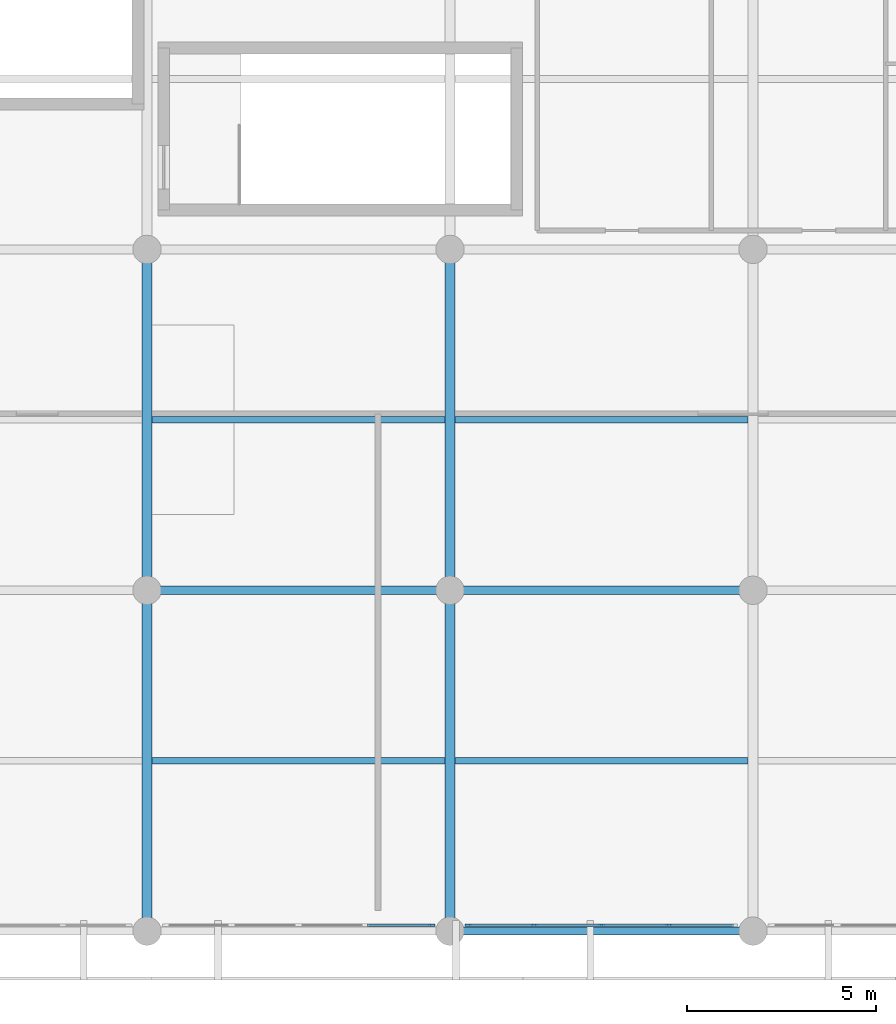
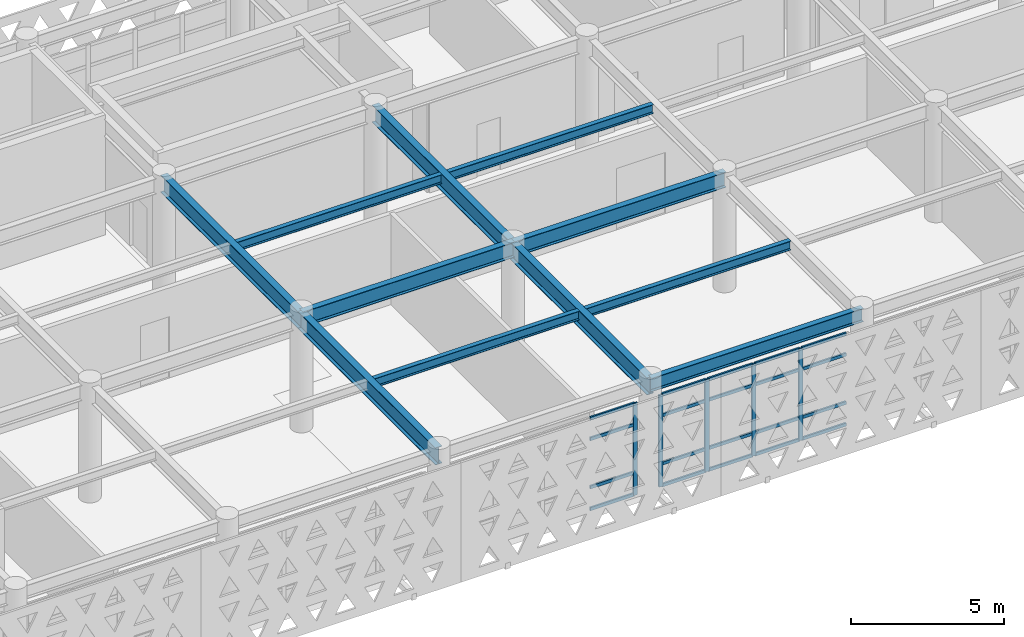
# One storey, part 8 of 26: 25 members, 11 beams, 2 elements without a shape of their own.
"""IFC4 building model written with IfcOpenShell, lengths in metres."""

from ifc_helpers import new_model, si_unit, direction, frame, origin, origin_2d, place, context, subcontext, project, spatial, rectangle, i_section, extrude, material, layer, layer_set, material_profile, profile_set, type_object, element, aggregate, save


model = new_model("IFC4")

# Units and contexts
model_context = context("Model", 3, precision=1e-05, world=origin(), true_north=direction((0.0, 1.0)))
body_context = subcontext(model_context, "Body", "Model", "MODEL_VIEW")
ifc_project = project(units=[si_unit("LENGTHUNIT", "METRE"), si_unit("AREAUNIT", "SQUARE_METRE"), si_unit("VOLUMEUNIT", "CUBIC_METRE"), si_unit("PLANEANGLEUNIT", "RADIAN"), si_unit("MASSUNIT", "GRAM", prefix="KILO")], contexts=[model_context])

# Site, building, storey
site_placement = place(None, origin())
site = spatial("IfcSite", under=ifc_project, at=site_placement, CompositionType="ELEMENT")
building_placement = place(site_placement, origin())
building = spatial("IfcBuilding", under=site, at=building_placement, Name="Tlacozan Convention Centre", CompositionType="ELEMENT")
storey_placement = place(building_placement, frame((0.0, 0.0, 21.0)))
storey = spatial("IfcBuildingStorey", under=building, at=storey_placement, Name="L04", CompositionType="ELEMENT", Elevation=21.0)

# Curtain wall, member
ifc_material_1 = material(Name="Dark Bronze Anodised Aluminium", Category="aluminium")
ifc_layer = layer(ifc_material_1, 0.159912109375)
ifc_layer_set = layer_set([ifc_layer], Name="Dark Bronze Anodised Aluminium")
curtain_wall_type = type_object("IfcCurtainWallType", Name="Unitised Congress L04 South CW05", PredefinedType="NOTDEFINED", material=ifc_layer_set)
curtain_wall_1_placement = place(storey_placement, origin())
curtain_wall_1 = element("IfcCurtainWall", 1, at=curtain_wall_1_placement, inside=storey, type_object=curtain_wall_type, Name="L04 CW-05 Run 128", PredefinedType="NOTDEFINED")
ifc_material_profile_1 = material_profile(ifc_material_1, rectangle(XDim=0.06494140625, YDim=0.159912109375, at=origin_2d()), Name="ALU 65x160")
ifc_profile_set_1 = profile_set([ifc_material_profile_1], Name="Dark Bronze Anodised Aluminium")
member_type_1 = type_object("IfcMemberType", Name="Curtain Wall Mullion 65x160", PredefinedType="MULLION", material=ifc_profile_set_1)
member_1_placement = place(storey_placement, frame((55.517578125, 0.159912109375, 0.0), z_axis=(0.0, 0.0, 1.0), x_axis=(0.0, 1.0, 0.0)))
member_1 = element("IfcMember", 2, at=member_1_placement, type_object=member_type_1, Name="CW-05 mullion 5", PredefinedType="MULLION", context=body_context, shape_type="SweptSolid", body=[
    extrude(rectangle(XDim=0.06494140625, YDim=0.159912109375, at=origin_2d()), origin(), (0.0, 0.0, 1.0), 3.679931640625),
])

# Curtain wall, members
curtain_wall_2_placement = place(storey_placement, origin())
curtain_wall_2 = element("IfcCurtainWall", 3, at=curtain_wall_2_placement, inside=storey, type_object=curtain_wall_type, Name="L04 CW-05 Run 129", PredefinedType="NOTDEFINED")
member_2_placement = place(storey_placement, frame((56.482421875, 0.159912109375, 0.0), z_axis=(0.0, 0.0, 1.0), x_axis=(0.0, 1.0, 0.0)))
member_2 = element("IfcMember", 4, at=member_2_placement, type_object=member_type_1, Name="CW-05 mullion 1", PredefinedType="MULLION", context=body_context, shape_type="SweptSolid", body=[
    extrude(rectangle(XDim=0.06494140625, YDim=0.159912109375, at=origin_2d()), origin(), (0.0, 0.0, 1.0), 3.679931640625),
])
member_3_placement = place(storey_placement, frame((58.22509765625, 0.159912109375, 0.0), z_axis=(0.0, 0.0, 1.0), x_axis=(0.0, 1.0, 0.0)))
member_3 = element("IfcMember", 5, at=member_3_placement, type_object=member_type_1, Name="CW-05 mullion 2", PredefinedType="MULLION", context=body_context, shape_type="SweptSolid", body=[
    extrude(rectangle(XDim=0.06494140625, YDim=0.159912109375, at=origin_2d()), origin(), (0.0, 0.0, 1.0), 3.679931640625),
])
member_4_placement = place(storey_placement, frame((60.0, 0.159912109375, 0.0), z_axis=(0.0, 0.0, 1.0), x_axis=(0.0, 1.0, 0.0)))
member_4 = element("IfcMember", 6, at=member_4_placement, type_object=member_type_1, Name="CW-05 mullion 3", PredefinedType="MULLION", context=body_context, shape_type="SweptSolid", body=[
    extrude(rectangle(XDim=0.06494140625, YDim=0.159912109375, at=origin_2d()), origin(), (0.0, 0.0, 1.0), 3.679931640625),
])
member_5_placement = place(storey_placement, frame((61.77490234375, 0.159912109375, 0.0), z_axis=(0.0, 0.0, 1.0), x_axis=(0.0, 1.0, 0.0)))
member_5 = element("IfcMember", 7, at=member_5_placement, type_object=member_type_1, Name="CW-05 mullion 4", PredefinedType="MULLION", context=body_context, shape_type="SweptSolid", body=[
    extrude(rectangle(XDim=0.06494140625, YDim=0.159912109375, at=origin_2d()), origin(), (0.0, 0.0, 1.0), 3.679931640625),
])

# Member
ifc_material_profile_2 = material_profile(ifc_material_1, rectangle(XDim=0.06494140625, YDim=0.125, at=origin_2d()), Name="ALU 65x125")
ifc_profile_set_2 = profile_set([ifc_material_profile_2], Name="Dark Bronze Anodised Aluminium")
member_type_2 = type_object("IfcMemberType", Name="Curtain Wall Transom 65x125", PredefinedType="USERDEFINED", material=ifc_profile_set_2)
member_6_placement = place(storey_placement, frame((53.8076171875, 0.159912109375, 0.032470703125), z_axis=(1.0, 0.0, 0.0), x_axis=(0.0, 1.0, 0.0)))
member_6 = element("IfcMember", 8, at=member_6_placement, type_object=member_type_2, Name="CW-05 transom 4.1", ObjectType="TRANSOM", PredefinedType="USERDEFINED", context=body_context, shape_type="SweptSolid", body=[
    extrude(rectangle(XDim=0.06494140625, YDim=0.125, at=origin_2d()), origin(), (0.0, 0.0, 1.0), 1.677490234375),
])

member_7_placement = place(storey_placement, frame((53.8076171875, 0.159912109375, 0.89990234375), z_axis=(1.0, 0.0, 0.0), x_axis=(0.0, 1.0, 0.0)))
member_7 = element("IfcMember", 9, at=member_7_placement, type_object=member_type_2, Name="CW-05 transom 4.2", ObjectType="TRANSOM", PredefinedType="USERDEFINED", context=body_context, shape_type="SweptSolid", body=[
    extrude(rectangle(XDim=0.06494140625, YDim=0.125, at=origin_2d()), origin(), (0.0, 0.0, 1.0), 1.677490234375),
])

member_8_placement = place(storey_placement, frame((53.8076171875, 0.159912109375, 2.830078125), z_axis=(1.0, 0.0, 0.0), x_axis=(0.0, 1.0, 0.0)))
member_8 = element("IfcMember", 10, at=member_8_placement, type_object=member_type_2, Name="CW-05 transom 4.3", ObjectType="TRANSOM", PredefinedType="USERDEFINED", context=body_context, shape_type="SweptSolid", body=[
    extrude(rectangle(XDim=0.06494140625, YDim=0.125, at=origin_2d()), origin(), (0.0, 0.0, 1.0), 1.677490234375),
])

member_9_placement = place(storey_placement, frame((53.8076171875, 0.159912109375, 3.6474609375), z_axis=(1.0, 0.0, 0.0), x_axis=(0.0, 1.0, 0.0)))
member_9 = element("IfcMember", 11, at=member_9_placement, type_object=member_type_2, Name="CW-05 transom 4.4", ObjectType="TRANSOM", PredefinedType="USERDEFINED", context=body_context, shape_type="SweptSolid", body=[
    extrude(rectangle(XDim=0.06494140625, YDim=0.125, at=origin_2d()), origin(), (0.0, 0.0, 1.0), 1.677490234375),
])

aggregate(curtain_wall_1, [member_1, member_6, member_7, member_8, member_9])

member_10_placement = place(storey_placement, frame((56.514892578125, 0.159912109375, 0.032470703125), z_axis=(1.0, 0.0, 0.0), x_axis=(0.0, 1.0, 0.0)))
member_10 = element("IfcMember", 12, at=member_10_placement, type_object=member_type_2, Name="CW-05 transom 1.1", ObjectType="TRANSOM", PredefinedType="USERDEFINED", context=body_context, shape_type="SweptSolid", body=[
    extrude(rectangle(XDim=0.06494140625, YDim=0.125, at=origin_2d()), origin(), (0.0, 0.0, 1.0), 1.677490234375),
])

member_11_placement = place(storey_placement, frame((56.514892578125, 0.159912109375, 0.89990234375), z_axis=(1.0, 0.0, 0.0), x_axis=(0.0, 1.0, 0.0)))
member_11 = element("IfcMember", 13, at=member_11_placement, type_object=member_type_2, Name="CW-05 transom 1.2", ObjectType="TRANSOM", PredefinedType="USERDEFINED", context=body_context, shape_type="SweptSolid", body=[
    extrude(rectangle(XDim=0.06494140625, YDim=0.125, at=origin_2d()), origin(), (0.0, 0.0, 1.0), 1.677490234375),
])

member_12_placement = place(storey_placement, frame((56.514892578125, 0.159912109375, 2.830078125), z_axis=(1.0, 0.0, 0.0), x_axis=(0.0, 1.0, 0.0)))
member_12 = element("IfcMember", 14, at=member_12_placement, type_object=member_type_2, Name="CW-05 transom 1.3", ObjectType="TRANSOM", PredefinedType="USERDEFINED", context=body_context, shape_type="SweptSolid", body=[
    extrude(rectangle(XDim=0.06494140625, YDim=0.125, at=origin_2d()), origin(), (0.0, 0.0, 1.0), 1.677490234375),
])

member_13_placement = place(storey_placement, frame((56.514892578125, 0.159912109375, 3.6474609375), z_axis=(1.0, 0.0, 0.0), x_axis=(0.0, 1.0, 0.0)))
member_13 = element("IfcMember", 15, at=member_13_placement, type_object=member_type_2, Name="CW-05 transom 1.4", ObjectType="TRANSOM", PredefinedType="USERDEFINED", context=body_context, shape_type="SweptSolid", body=[
    extrude(rectangle(XDim=0.06494140625, YDim=0.125, at=origin_2d()), origin(), (0.0, 0.0, 1.0), 1.677490234375),
])

member_14_placement = place(storey_placement, frame((58.257568359375, 0.159912109375, 0.032470703125), z_axis=(1.0, 0.0, 0.0), x_axis=(0.0, 1.0, 0.0)))
member_14 = element("IfcMember", 16, at=member_14_placement, type_object=member_type_2, Name="CW-05 transom 2.1", ObjectType="TRANSOM", PredefinedType="USERDEFINED", context=body_context, shape_type="SweptSolid", body=[
    extrude(rectangle(XDim=0.06494140625, YDim=0.125, at=origin_2d()), origin(), (0.0, 0.0, 1.0), 1.7099609375),
])

member_15_placement = place(storey_placement, frame((58.257568359375, 0.159912109375, 0.89990234375), z_axis=(1.0, 0.0, 0.0), x_axis=(0.0, 1.0, 0.0)))
member_15 = element("IfcMember", 17, at=member_15_placement, type_object=member_type_2, Name="CW-05 transom 2.2", ObjectType="TRANSOM", PredefinedType="USERDEFINED", context=body_context, shape_type="SweptSolid", body=[
    extrude(rectangle(XDim=0.06494140625, YDim=0.125, at=origin_2d()), origin(), (0.0, 0.0, 1.0), 1.7099609375),
])

member_16_placement = place(storey_placement, frame((58.257568359375, 0.159912109375, 2.830078125), z_axis=(1.0, 0.0, 0.0), x_axis=(0.0, 1.0, 0.0)))
member_16 = element("IfcMember", 18, at=member_16_placement, type_object=member_type_2, Name="CW-05 transom 2.3", ObjectType="TRANSOM", PredefinedType="USERDEFINED", context=body_context, shape_type="SweptSolid", body=[
    extrude(rectangle(XDim=0.06494140625, YDim=0.125, at=origin_2d()), origin(), (0.0, 0.0, 1.0), 1.7099609375),
])

member_17_placement = place(storey_placement, frame((58.257568359375, 0.159912109375, 3.6474609375), z_axis=(1.0, 0.0, 0.0), x_axis=(0.0, 1.0, 0.0)))
member_17 = element("IfcMember", 19, at=member_17_placement, type_object=member_type_2, Name="CW-05 transom 2.4", ObjectType="TRANSOM", PredefinedType="USERDEFINED", context=body_context, shape_type="SweptSolid", body=[
    extrude(rectangle(XDim=0.06494140625, YDim=0.125, at=origin_2d()), origin(), (0.0, 0.0, 1.0), 1.7099609375),
])

member_18_placement = place(storey_placement, frame((60.032470703125, 0.159912109375, 0.032470703125), z_axis=(1.0, 0.0, 0.0), x_axis=(0.0, 1.0, 0.0)))
member_18 = element("IfcMember", 20, at=member_18_placement, type_object=member_type_2, Name="CW-05 transom 3.1", ObjectType="TRANSOM", PredefinedType="USERDEFINED", context=body_context, shape_type="SweptSolid", body=[
    extrude(rectangle(XDim=0.06494140625, YDim=0.125, at=origin_2d()), origin(), (0.0, 0.0, 1.0), 1.7099609375),
])

member_19_placement = place(storey_placement, frame((60.032470703125, 0.159912109375, 0.89990234375), z_axis=(1.0, 0.0, 0.0), x_axis=(0.0, 1.0, 0.0)))
member_19 = element("IfcMember", 21, at=member_19_placement, type_object=member_type_2, Name="CW-05 transom 3.2", ObjectType="TRANSOM", PredefinedType="USERDEFINED", context=body_context, shape_type="SweptSolid", body=[
    extrude(rectangle(XDim=0.06494140625, YDim=0.125, at=origin_2d()), origin(), (0.0, 0.0, 1.0), 1.7099609375),
])

member_20_placement = place(storey_placement, frame((60.032470703125, 0.159912109375, 2.830078125), z_axis=(1.0, 0.0, 0.0), x_axis=(0.0, 1.0, 0.0)))
member_20 = element("IfcMember", 22, at=member_20_placement, type_object=member_type_2, Name="CW-05 transom 3.3", ObjectType="TRANSOM", PredefinedType="USERDEFINED", context=body_context, shape_type="SweptSolid", body=[
    extrude(rectangle(XDim=0.06494140625, YDim=0.125, at=origin_2d()), origin(), (0.0, 0.0, 1.0), 1.7099609375),
])

member_21_placement = place(storey_placement, frame((60.032470703125, 0.159912109375, 3.6474609375), z_axis=(1.0, 0.0, 0.0), x_axis=(0.0, 1.0, 0.0)))
member_21 = element("IfcMember", 23, at=member_21_placement, type_object=member_type_2, Name="CW-05 transom 3.4", ObjectType="TRANSOM", PredefinedType="USERDEFINED", context=body_context, shape_type="SweptSolid", body=[
    extrude(rectangle(XDim=0.06494140625, YDim=0.125, at=origin_2d()), origin(), (0.0, 0.0, 1.0), 1.7099609375),
])

member_22_placement = place(storey_placement, frame((61.8076171875, 0.159912109375, 0.032470703125), z_axis=(1.0, 0.0, 0.0), x_axis=(0.0, 1.0, 0.0)))
member_22 = element("IfcMember", 24, at=member_22_placement, type_object=member_type_2, Name="CW-05 transom 4.1", ObjectType="TRANSOM", PredefinedType="USERDEFINED", context=body_context, shape_type="SweptSolid", body=[
    extrude(rectangle(XDim=0.06494140625, YDim=0.125, at=origin_2d()), origin(), (0.0, 0.0, 1.0), 1.677490234375),
])

member_23_placement = place(storey_placement, frame((61.8076171875, 0.159912109375, 0.89990234375), z_axis=(1.0, 0.0, 0.0), x_axis=(0.0, 1.0, 0.0)))
member_23 = element("IfcMember", 25, at=member_23_placement, type_object=member_type_2, Name="CW-05 transom 4.2", ObjectType="TRANSOM", PredefinedType="USERDEFINED", context=body_context, shape_type="SweptSolid", body=[
    extrude(rectangle(XDim=0.06494140625, YDim=0.125, at=origin_2d()), origin(), (0.0, 0.0, 1.0), 1.677490234375),
])

member_24_placement = place(storey_placement, frame((61.8076171875, 0.159912109375, 2.830078125), z_axis=(1.0, 0.0, 0.0), x_axis=(0.0, 1.0, 0.0)))
member_24 = element("IfcMember", 26, at=member_24_placement, type_object=member_type_2, Name="CW-05 transom 4.3", ObjectType="TRANSOM", PredefinedType="USERDEFINED", context=body_context, shape_type="SweptSolid", body=[
    extrude(rectangle(XDim=0.06494140625, YDim=0.125, at=origin_2d()), origin(), (0.0, 0.0, 1.0), 1.677490234375),
])

member_25_placement = place(storey_placement, frame((61.8076171875, 0.159912109375, 3.6474609375), z_axis=(1.0, 0.0, 0.0), x_axis=(0.0, 1.0, 0.0)))
member_25 = element("IfcMember", 27, at=member_25_placement, type_object=member_type_2, Name="CW-05 transom 4.4", ObjectType="TRANSOM", PredefinedType="USERDEFINED", context=body_context, shape_type="SweptSolid", body=[
    extrude(rectangle(XDim=0.06494140625, YDim=0.125, at=origin_2d()), origin(), (0.0, 0.0, 1.0), 1.677490234375),
])

aggregate(curtain_wall_2, [member_2, member_3, member_4, member_5, member_10, member_11, member_12, member_13, member_14, member_15, member_16, member_17, member_18, member_19, member_20, member_21, member_22, member_23, member_24, member_25])

# Beams
ifc_material_2 = material(Name="Steel ASTM A992 Grade 50", Category="steel")
ifc_material_profile_3 = material_profile(ifc_material_2, i_section(OverallWidth=0.22900390625, OverallDepth=0.612060546875, WebThickness=0.011962890625, FlangeThickness=0.01953125, FilletRadius=0.012939453125, at=origin_2d()), Name="IR 610x125.0")
ifc_profile_set_3 = profile_set([ifc_material_profile_3], Name="Steel ASTM A992 Grade 50")
beam_type_1 = type_object("IfcBeamType", Name="Floor Beam IR 610x125", PredefinedType="BEAM", material=ifc_profile_set_3)
for number, where, z_axis, x_axis, name in (
    (28, (48.0, 9.0, 4.333984375), (1.0, 0.0, 0.0), (0.0, 1.0, 0.0), "L04 Floor Beam IR 610x125 710"),
    (29, (56.0, 9.0, 4.333984375), (1.0, 0.0, 0.0), (0.0, 1.0, 0.0), "L04 Floor Beam IR 610x125 714"),
):
    element("IfcBeam", number, at=place(storey_placement, frame(where, z_axis=z_axis, x_axis=x_axis)), inside=storey, type_object=beam_type_1, Name=name, PredefinedType="BEAM", context=body_context, shape_type="SweptSolid", body=[
        extrude(i_section(OverallWidth=0.22900390625, OverallDepth=0.612060546875, WebThickness=0.011962890625, FlangeThickness=0.01953125, FilletRadius=0.012939453125, at=origin_2d()), origin(), (0.0, 0.0, 1.0), 8.0),
    ])
ifc_material_profile_4 = material_profile(ifc_material_2, i_section(OverallWidth=0.256103515625, OverallDepth=0.693115234375, WebThickness=0.014404296875, FlangeThickness=0.023681640625, FilletRadius=0.014892578125, at=origin_2d()), Name="IR 686x170.0")
ifc_profile_set_4 = profile_set([ifc_material_profile_4], Name="Steel ASTM A992 Grade 50")
beam_type_2 = type_object("IfcBeamType", Name="Girder Steel IR 686x170", PredefinedType="BEAM", material=ifc_profile_set_4)
for number, where, z_axis, x_axis, name in (
    (30, (48.0, 0.0, 4.29345703125), (0.0, 1.0, 0.0), (-1.0, 0.0, 0.0), "L04 Girder Steel IR 686x170 665"),
    (31, (48.0, 9.0, 4.29345703125), (0.0, 1.0, 0.0), (-1.0, 0.0, 0.0), "L04 Girder Steel IR 686x170 666"),
    (32, (56.0, 0.0, 4.29345703125), (0.0, 1.0, 0.0), (-1.0, 0.0, 0.0), "L04 Girder Steel IR 686x170 668"),
    (33, (56.0, 9.0, 4.29345703125), (0.0, 1.0, 0.0), (-1.0, 0.0, 0.0), "L04 Girder Steel IR 686x170 669"),
):
    element("IfcBeam", number, at=place(storey_placement, frame(where, z_axis=z_axis, x_axis=x_axis)), inside=storey, type_object=beam_type_2, Name=name, PredefinedType="BEAM", context=body_context, shape_type="SweptSolid", body=[
        extrude(i_section(OverallWidth=0.256103515625, OverallDepth=0.693115234375, WebThickness=0.014404296875, FlangeThickness=0.023681640625, FilletRadius=0.014892578125, at=origin_2d()), origin(), (0.0, 0.0, 1.0), 9.0),
    ])
ifc_material_profile_5 = material_profile(ifc_material_2, i_section(OverallWidth=0.2109375, OverallDepth=0.5390625, WebThickness=0.01171875, FlangeThickness=0.018798828125, FilletRadius=0.012939453125, at=origin_2d()), Name="IR 533x109.0")
ifc_profile_set_5 = profile_set([ifc_material_profile_5], Name="Steel ASTM A992 Grade 50")
beam_type_3 = type_object("IfcBeamType", Name="Perimeter Spandrel IR 533x109", PredefinedType="SPANDREL", material=ifc_profile_set_5)
beam_placement = place(storey_placement, frame((56.0, 0.0, 4.37060546875), z_axis=(1.0, 0.0, 0.0), x_axis=(0.0, 1.0, 0.0)))
element("IfcBeam", 34, at=beam_placement, inside=storey, type_object=beam_type_3, Name="L04 Perimeter Spandrel IR 533x109 713", PredefinedType="SPANDREL", context=body_context, shape_type="SweptSolid", body=[
    extrude(i_section(OverallWidth=0.2109375, OverallDepth=0.5390625, WebThickness=0.01171875, FlangeThickness=0.018798828125, FilletRadius=0.012939453125, at=origin_2d()), origin(), (0.0, 0.0, 1.0), 8.0),
])
ifc_material_profile_6 = material_profile(ifc_material_2, i_section(OverallWidth=0.173095703125, OverallDepth=0.364013671875, WebThickness=0.009033203125, FlangeThickness=0.015625, FilletRadius=0.010009765625, at=origin_2d()), Name="IR 356x67.1")
ifc_profile_set_6 = profile_set([ifc_material_profile_6], Name="Steel ASTM A992 Grade 50")
beam_type_4 = type_object("IfcBeamType", Name="Secondary Joist IR 356x67.1", PredefinedType="JOIST", material=ifc_profile_set_6)
for number, where, z_axis, x_axis, name in (
    (35, (48.1259765625, 4.5, 4.4580078125), (1.0, 0.0, 0.0), (0.0, 1.0, 0.0), "L04 Secondary Joist IR 356x67.1 751"),
    (36, (48.1259765625, 13.5, 4.4580078125), (1.0, 0.0, 0.0), (0.0, 1.0, 0.0), "L04 Secondary Joist IR 356x67.1 752"),
    (37, (56.1259765625, 4.5, 4.4580078125), (1.0, 0.0, 0.0), (0.0, 1.0, 0.0), "L04 Secondary Joist IR 356x67.1 754"),
    (38, (56.1259765625, 13.5, 4.4580078125), (1.0, 0.0, 0.0), (0.0, 1.0, 0.0), "L04 Secondary Joist IR 356x67.1 755"),
):
    element("IfcBeam", number, at=place(storey_placement, frame(where, z_axis=z_axis, x_axis=x_axis)), inside=storey, type_object=beam_type_4, Name=name, PredefinedType="JOIST", context=body_context, shape_type="SweptSolid", body=[
        extrude(i_section(OverallWidth=0.173095703125, OverallDepth=0.364013671875, WebThickness=0.009033203125, FlangeThickness=0.015625, FilletRadius=0.010009765625, at=origin_2d()), origin(), (0.0, 0.0, 1.0), 7.748046875),
    ])

save(model, "model.ifc")
